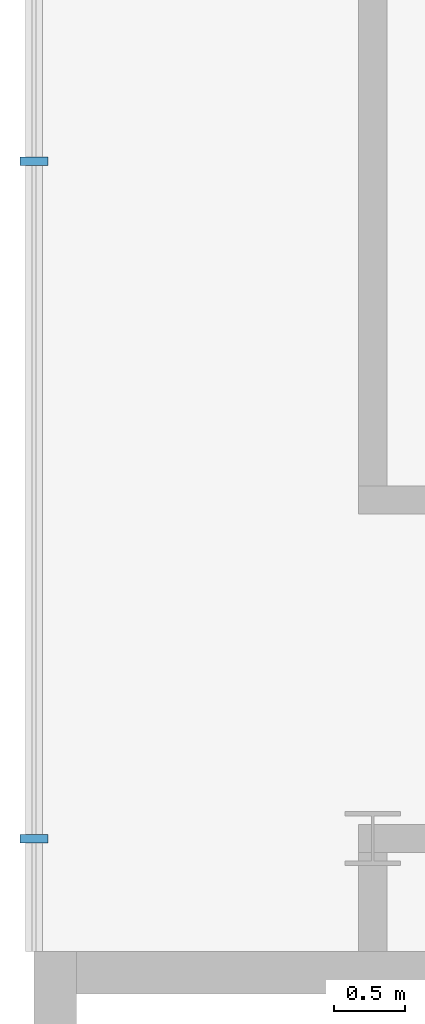
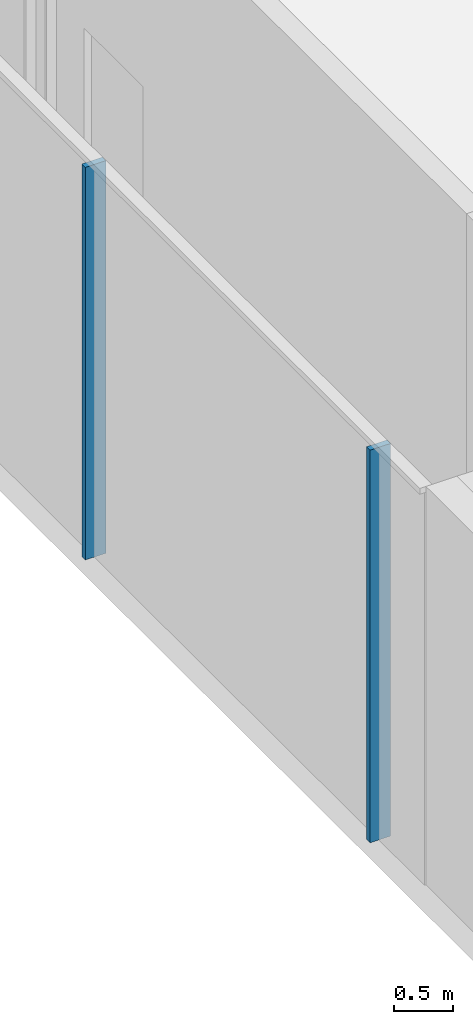
# One storey, part 7 of 32: 2 members, 1 element without a shape of its own.
"""IFC4 building model written with IfcOpenShell, lengths in metres."""

from ifc_helpers import new_model, si_unit, direction, frame, origin, origin_2d, place, context, subcontext, project, spatial, rectangle, extrude, material, layer, layer_set, material_profile, profile_set, type_object, element, aggregate, save


model = new_model("IFC4")

# Units and contexts
model_context = context("Model", 3, precision=1e-05, world=origin(), true_north=direction((0.0, 1.0)))
body_context = subcontext(model_context, "Body", "Model", "MODEL_VIEW")
ifc_project = project(units=[si_unit("LENGTHUNIT", "METRE"), si_unit("AREAUNIT", "SQUARE_METRE"), si_unit("VOLUMEUNIT", "CUBIC_METRE"), si_unit("PLANEANGLEUNIT", "RADIAN"), si_unit("MASSUNIT", "GRAM", prefix="KILO")], contexts=[model_context])

# Site, building, storey
site_placement = place(None, origin())
site = spatial("IfcSite", under=ifc_project, at=site_placement, CompositionType="ELEMENT")
building_placement = place(site_placement, origin())
building = spatial("IfcBuilding", under=site, at=building_placement, Name="Madar Terraces", CompositionType="ELEMENT")
storey_placement = place(building_placement, frame((0.0, 0.0, 19.5)))
storey = spatial("IfcBuildingStorey", under=building, at=storey_placement, Name="L04", CompositionType="ELEMENT", Elevation=19.5)

# Curtain wall, members
ifc_material_1 = material(Name="Glass, clear low-iron, with black aluminium frame", Category="aluminium")
ifc_layer = layer(ifc_material_1, 0.199951171875)
ifc_layer_set = layer_set([ifc_layer], Name="Facade curtain wall, shopfront glazing")
curtain_wall_type = type_object("IfcCurtainWallType", Name="Facade curtain wall, shopfront glazing", PredefinedType="NOTDEFINED", material=ifc_layer_set)
curtain_wall_placement = place(storey_placement, origin())
curtain_wall = element("IfcCurtainWall", 1, at=curtain_wall_placement, inside=storey, type_object=curtain_wall_type, Name="Outer skin curtain wall west bay 1", PredefinedType="NOTDEFINED")
ifc_material_2 = material(Name="Aluminium, black anodised", Category="aluminium")
ifc_material_profile = material_profile(ifc_material_2, rectangle(XDim=0.199951171875, YDim=0.06005859375, at=origin_2d()), Name="Facade mullion 60x200")
ifc_profile_set = profile_set([ifc_material_profile], Name="Aluminium, black anodised")
member_type = type_object("IfcMemberType", Name="Facade mullion 60x200", PredefinedType="MULLION", material=ifc_profile_set)
member_1_placement = place(storey_placement, frame((-7.199951171875, 14.39990234375, 0.0), z_axis=(0.0, 0.0, 1.0), x_axis=(1.0, 0.0, 0.0)))
member_1 = element("IfcMember", 2, at=member_1_placement, type_object=member_type, Name="Mullion 8", PredefinedType="MULLION", context=body_context, shape_type="SweptSolid", body=[
    extrude(rectangle(XDim=0.199951171875, YDim=0.06005859375, at=origin_2d()), origin(), (0.0, 0.0, 1.0), 4.0400390625),
])
member_2_placement = place(storey_placement, frame((-7.199951171875, 9.60009765625, 0.0), z_axis=(0.0, 0.0, 1.0), x_axis=(1.0, 0.0, 0.0)))
member_2 = element("IfcMember", 3, at=member_2_placement, type_object=member_type, Name="Mullion 9", PredefinedType="MULLION", context=body_context, shape_type="SweptSolid", body=[
    extrude(rectangle(XDim=0.199951171875, YDim=0.06005859375, at=origin_2d()), origin(), (0.0, 0.0, 1.0), 4.0400390625),
])
aggregate(curtain_wall, [member_1, member_2])

save(model, "model.ifc")
